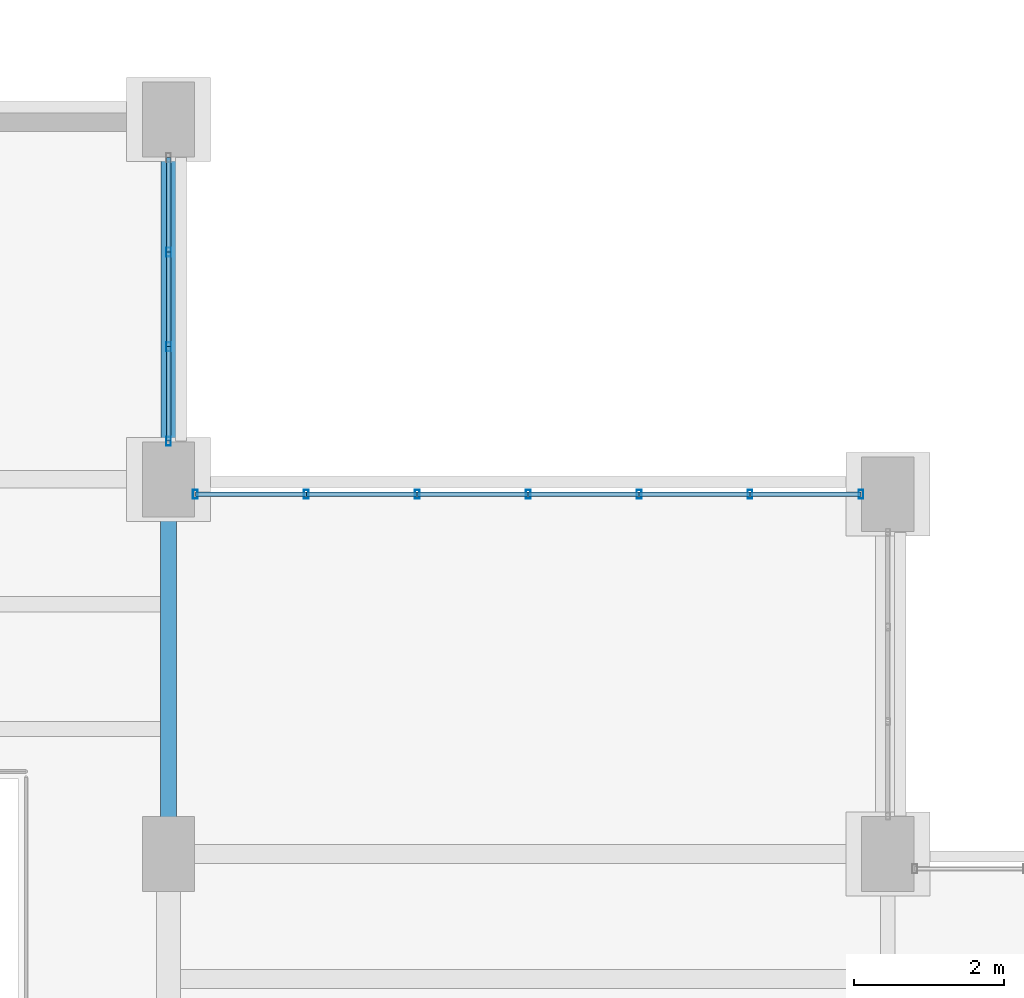
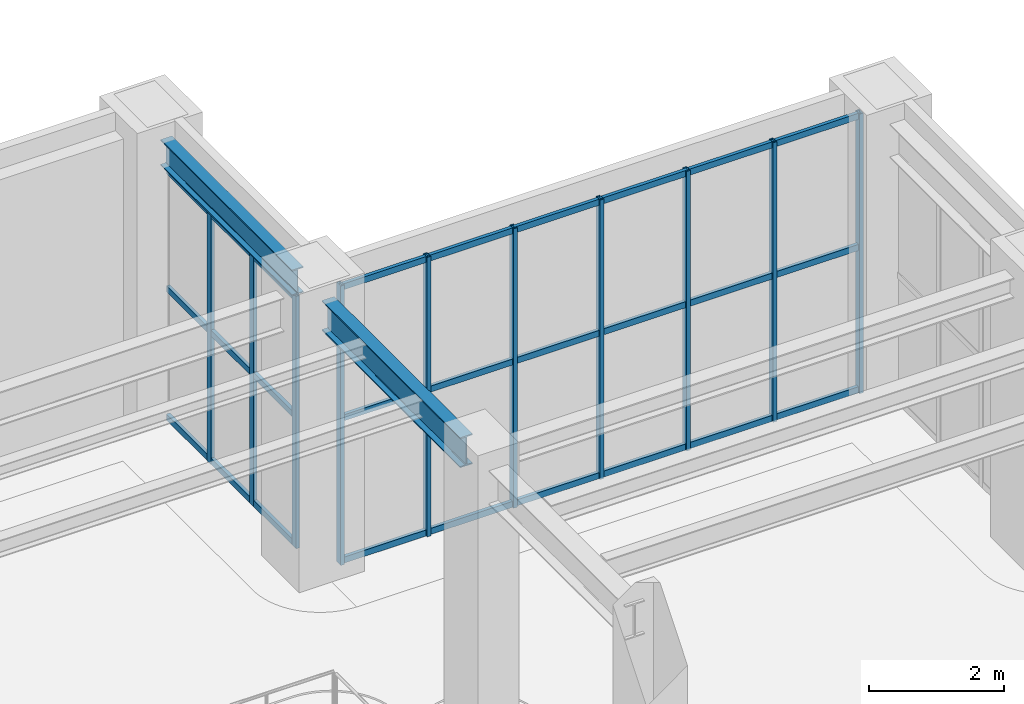
# One storey, part 108 of 164: 37 members, 2 beams, 2 elements without a shape of their own.
"""IFC4 building model written with IfcOpenShell, lengths in metres."""

from ifc_helpers import new_model, si_unit, direction, frame, origin, origin_2d, place, context, subcontext, project, spatial, hollow_rectangle, i_section, extrude, material, material_profile, profile_set, type_object, element, aggregate, save


model = new_model("IFC4")

# Units and contexts
model_context = context("Model", 3, precision=1e-05, world=origin(), true_north=direction((0.0, 1.0)))
body_context = subcontext(model_context, "Body", "Model", "MODEL_VIEW")
ifc_project = project(units=[si_unit("LENGTHUNIT", "METRE"), si_unit("AREAUNIT", "SQUARE_METRE"), si_unit("VOLUMEUNIT", "CUBIC_METRE"), si_unit("PLANEANGLEUNIT", "RADIAN"), si_unit("MASSUNIT", "GRAM", prefix="KILO")], contexts=[model_context])

# Site, building, storey
site_placement = place(None, origin())
site = spatial("IfcSite", under=ifc_project, at=site_placement, CompositionType="ELEMENT")
building_placement = place(site_placement, origin())
building = spatial("IfcBuilding", under=site, at=building_placement, Name="Mavantir Sound Aquarium", CompositionType="ELEMENT")
storey_placement = place(building_placement, origin())
storey = spatial("IfcBuildingStorey", under=building, at=storey_placement, Name="L00", CompositionType="ELEMENT", Elevation=0.0)

# Beams
ifc_material_1 = material(Name="Structural Steel ASTM A992 Gr50", Category="steel")
ifc_material_profile_1 = material_profile(ifc_material_1, i_section(OverallWidth=0.194091796875, OverallDepth=0.468994140625, WebThickness=0.0126953125, FlangeThickness=0.0205078125, FilletRadius=0.01611328125, at=origin_2d()), Name="W460X106")
ifc_profile_set_1 = profile_set([ifc_material_profile_1], Name="Structural Steel ASTM A992 Gr50")
beam_type_1 = type_object("IfcBeamType", Name="BM-W460X106-I", PredefinedType="BEAM", material=ifc_profile_set_1)
beam_1_placement = place(storey_placement, frame((146.39990234375, 76.25, 4.83154296875), z_axis=(0.0, 1.0, 0.0), x_axis=(-1.0, 0.0, 0.0)))
element("IfcBeam", 1, at=beam_1_placement, inside=storey, type_object=beam_type_1, Name="L00 primary girder SB-46 1011", PredefinedType="BEAM", context=body_context, shape_type="SweptSolid", body=[
    extrude(i_section(OverallWidth=0.194091796875, OverallDepth=0.468994140625, WebThickness=0.0126953125, FlangeThickness=0.0205078125, FilletRadius=0.01611328125, at=origin_2d()), origin(), (0.0, 0.0, 1.0), 3.89990234375),
])
ifc_material_profile_2 = material_profile(ifc_material_1, i_section(OverallWidth=0.2119140625, OverallDepth=0.5439453125, WebThickness=0.01318359375, FlangeThickness=0.021240234375, FilletRadius=0.01806640625, at=origin_2d()), Name="W530X123")
ifc_profile_set_2 = profile_set([ifc_material_profile_2], Name="Structural Steel ASTM A992 Gr50")
beam_type_2 = type_object("IfcBeamType", Name="BM-W530X123-I", PredefinedType="BEAM", material=ifc_profile_set_2)
beam_2_placement = place(storey_placement, frame((146.39990234375, 71.25, 4.7939453125), z_axis=(0.0, 1.0, 0.0), x_axis=(-1.0, 0.0, 0.0)))
element("IfcBeam", 2, at=beam_2_placement, inside=storey, type_object=beam_type_2, Name="L00 primary girder SB-53 1010", PredefinedType="BEAM", context=body_context, shape_type="SweptSolid", body=[
    extrude(i_section(OverallWidth=0.2119140625, OverallDepth=0.5439453125, WebThickness=0.01318359375, FlangeThickness=0.021240234375, FilletRadius=0.01806640625, at=origin_2d()), origin(), (0.0, 0.0, 1.0), 4.10009765625),
])

# Curtain wall, members
ifc_material_2 = material(Name="Anodised Marine Aluminium and Low-E Glass", Category="aluminium")
curtain_wall_type_1 = type_object("IfcCurtainWallType", Name="CW-T14", PredefinedType="USERDEFINED", material=ifc_material_2)
curtain_wall_1_placement = place(storey_placement, origin())
curtain_wall_1 = element("IfcCurtainWall", 3, at=curtain_wall_1_placement, inside=storey, type_object=curtain_wall_type_1, Name="L00 unitised curtain wall CW-14 14", ObjectType="UNITISED GLAZING", PredefinedType="USERDEFINED")
ifc_material_3 = material(Name="Anodised Marine Aluminium 6063-T6", Category="aluminium")
ifc_material_profile_3 = material_profile(ifc_material_3, hollow_rectangle(XDim=0.06494140625, YDim=0.1201171875, WallThickness=0.00390625, at=origin_2d()), Name="ALU-MULLION-120X65")
ifc_profile_set_3 = profile_set([ifc_material_profile_3], Name="Anodised Marine Aluminium 6063-T6")
member_type_1 = type_object("IfcMemberType", Name="CW-MUL-120", PredefinedType="MULLION", material=ifc_profile_set_3)
member_1_placement = place(storey_placement, frame((146.39990234375, 76.30810546875, 0.0), z_axis=(0.0, 0.0, 1.0), x_axis=(1.0, 0.0, 0.0)))
member_1 = element("IfcMember", 4, at=member_1_placement, type_object=member_type_1, Name="CW-L00-014 vertical mullion 1", PredefinedType="MULLION", context=body_context, shape_type="SweptSolid", body=[
    extrude(hollow_rectangle(XDim=0.06494140625, YDim=0.1201171875, WallThickness=0.00390625, at=origin_2d()), origin(), (0.0, 0.0, 1.0), 4.56689453125),
])
member_2_placement = place(storey_placement, frame((146.39990234375, 77.5693359375, 0.0), z_axis=(0.0, 0.0, 1.0), x_axis=(1.0, 0.0, 0.0)))
member_2 = element("IfcMember", 5, at=member_2_placement, type_object=member_type_1, Name="CW-L00-014 vertical mullion 2", PredefinedType="MULLION", context=body_context, shape_type="SweptSolid", body=[
    extrude(hollow_rectangle(XDim=0.06494140625, YDim=0.1201171875, WallThickness=0.00390625, at=origin_2d()), origin(), (0.0, 0.0, 1.0), 4.56689453125),
])
member_3_placement = place(storey_placement, frame((146.39990234375, 78.830810546875, 0.0), z_axis=(0.0, 0.0, 1.0), x_axis=(1.0, 0.0, 0.0)))
member_3 = element("IfcMember", 6, at=member_3_placement, type_object=member_type_1, Name="CW-L00-014 vertical mullion 3", PredefinedType="MULLION", context=body_context, shape_type="SweptSolid", body=[
    extrude(hollow_rectangle(XDim=0.06494140625, YDim=0.1201171875, WallThickness=0.00390625, at=origin_2d()), origin(), (0.0, 0.0, 1.0), 4.56689453125),
])

curtain_wall_type_2 = type_object("IfcCurtainWallType", Name="CW-T06", PredefinedType="USERDEFINED", material=ifc_material_2)
curtain_wall_2_placement = place(storey_placement, origin())
curtain_wall_2 = element("IfcCurtainWall", 7, at=curtain_wall_2_placement, inside=storey, type_object=curtain_wall_type_2, Name="L00 unitised curtain wall CW-06 30", ObjectType="UNITISED GLAZING", PredefinedType="USERDEFINED")
member_4_placement = place(storey_placement, frame((155.64208984375, 75.60009765625, 0.0), z_axis=(0.0, 0.0, 1.0), x_axis=(1.0, 0.0, 0.0)))
member_4 = element("IfcMember", 8, at=member_4_placement, type_object=member_type_1, Name="CW-L00-030 vertical mullion 1", PredefinedType="MULLION", context=body_context, shape_type="SweptSolid", body=[
    extrude(hollow_rectangle(XDim=0.06494140625, YDim=0.1201171875, WallThickness=0.00390625, at=origin_2d()), origin(), (0.0, 0.0, 1.0), 5.06005859375),
])
member_5_placement = place(storey_placement, frame((154.161376953125, 75.60009765625, 0.0), z_axis=(0.0, 0.0, 1.0), x_axis=(1.0, 0.0, 0.0)))
member_5 = element("IfcMember", 9, at=member_5_placement, type_object=member_type_1, Name="CW-L00-030 vertical mullion 2", PredefinedType="MULLION", context=body_context, shape_type="SweptSolid", body=[
    extrude(hollow_rectangle(XDim=0.06494140625, YDim=0.1201171875, WallThickness=0.00390625, at=origin_2d()), origin(), (0.0, 0.0, 1.0), 5.06005859375),
])
member_6_placement = place(storey_placement, frame((152.6806640625, 75.60009765625, 0.0), z_axis=(0.0, 0.0, 1.0), x_axis=(1.0, 0.0, 0.0)))
member_6 = element("IfcMember", 10, at=member_6_placement, type_object=member_type_1, Name="CW-L00-030 vertical mullion 3", PredefinedType="MULLION", context=body_context, shape_type="SweptSolid", body=[
    extrude(hollow_rectangle(XDim=0.06494140625, YDim=0.1201171875, WallThickness=0.00390625, at=origin_2d()), origin(), (0.0, 0.0, 1.0), 5.06005859375),
])
member_7_placement = place(storey_placement, frame((151.199951171875, 75.60009765625, 0.0), z_axis=(0.0, 0.0, 1.0), x_axis=(1.0, 0.0, 0.0)))
member_7 = element("IfcMember", 11, at=member_7_placement, type_object=member_type_1, Name="CW-L00-030 vertical mullion 4", PredefinedType="MULLION", context=body_context, shape_type="SweptSolid", body=[
    extrude(hollow_rectangle(XDim=0.06494140625, YDim=0.1201171875, WallThickness=0.00390625, at=origin_2d()), origin(), (0.0, 0.0, 1.0), 5.06005859375),
])
member_8_placement = place(storey_placement, frame((149.71923828125, 75.60009765625, 0.0), z_axis=(0.0, 0.0, 1.0), x_axis=(1.0, 0.0, 0.0)))
member_8 = element("IfcMember", 12, at=member_8_placement, type_object=member_type_1, Name="CW-L00-030 vertical mullion 5", PredefinedType="MULLION", context=body_context, shape_type="SweptSolid", body=[
    extrude(hollow_rectangle(XDim=0.06494140625, YDim=0.1201171875, WallThickness=0.00390625, at=origin_2d()), origin(), (0.0, 0.0, 1.0), 5.06005859375),
])
member_9_placement = place(storey_placement, frame((148.23876953125, 75.60009765625, 0.0), z_axis=(0.0, 0.0, 1.0), x_axis=(1.0, 0.0, 0.0)))
member_9 = element("IfcMember", 13, at=member_9_placement, type_object=member_type_1, Name="CW-L00-030 vertical mullion 6", PredefinedType="MULLION", context=body_context, shape_type="SweptSolid", body=[
    extrude(hollow_rectangle(XDim=0.06494140625, YDim=0.1201171875, WallThickness=0.00390625, at=origin_2d()), origin(), (0.0, 0.0, 1.0), 5.06005859375),
])
member_10_placement = place(storey_placement, frame((146.758056640625, 75.60009765625, 0.0), z_axis=(0.0, 0.0, 1.0), x_axis=(1.0, 0.0, 0.0)))
member_10 = element("IfcMember", 14, at=member_10_placement, type_object=member_type_1, Name="CW-L00-030 vertical mullion 7", PredefinedType="MULLION", context=body_context, shape_type="SweptSolid", body=[
    extrude(hollow_rectangle(XDim=0.06494140625, YDim=0.1201171875, WallThickness=0.00390625, at=origin_2d()), origin(), (0.0, 0.0, 1.0), 5.06005859375),
])

# Member
ifc_material_profile_4 = material_profile(ifc_material_3, hollow_rectangle(XDim=0.06005859375, YDim=0.110107421875, WallThickness=0.00390625, at=origin_2d()), Name="ALU-TRANSOM-110X60")
ifc_profile_set_4 = profile_set([ifc_material_profile_4], Name="Anodised Marine Aluminium 6063-T6")
member_type_2 = type_object("IfcMemberType", Name="CW-TRN-110", PredefinedType="USERDEFINED", material=ifc_profile_set_4)
member_11_placement = place(storey_placement, frame((146.39990234375, 76.30810546875, 0.054931640625), z_axis=(0.0, 1.0, 0.0), x_axis=(-1.0, 0.0, 0.0)))
member_11 = element("IfcMember", 15, at=member_11_placement, type_object=member_type_2, Name="CW-L00-014 transom 1.1", ObjectType="TRANSOM", PredefinedType="USERDEFINED", context=body_context, shape_type="SweptSolid", body=[
    extrude(hollow_rectangle(XDim=0.06005859375, YDim=0.110107421875, WallThickness=0.00390625, at=origin_2d()), origin(), (0.0, 0.0, 1.0), 1.26123046875),
])

member_12_placement = place(storey_placement, frame((146.39990234375, 76.30810546875, 2.374755859375), z_axis=(0.0, 1.0, 0.0), x_axis=(-1.0, 0.0, 0.0)))
member_12 = element("IfcMember", 16, at=member_12_placement, type_object=member_type_2, Name="CW-L00-014 transom 1.2", ObjectType="TRANSOM", PredefinedType="USERDEFINED", context=body_context, shape_type="SweptSolid", body=[
    extrude(hollow_rectangle(XDim=0.06005859375, YDim=0.110107421875, WallThickness=0.00390625, at=origin_2d()), origin(), (0.0, 0.0, 1.0), 1.26123046875),
])

member_13_placement = place(storey_placement, frame((146.39990234375, 76.30810546875, 4.511962890625), z_axis=(0.0, 1.0, 0.0), x_axis=(-1.0, 0.0, 0.0)))
member_13 = element("IfcMember", 17, at=member_13_placement, type_object=member_type_2, Name="CW-L00-014 transom 1.3", ObjectType="TRANSOM", PredefinedType="USERDEFINED", context=body_context, shape_type="SweptSolid", body=[
    extrude(hollow_rectangle(XDim=0.06005859375, YDim=0.110107421875, WallThickness=0.00390625, at=origin_2d()), origin(), (0.0, 0.0, 1.0), 1.26123046875),
])

member_14_placement = place(storey_placement, frame((146.39990234375, 77.5693359375, 0.054931640625), z_axis=(0.0, 1.0, 0.0), x_axis=(-1.0, 0.0, 0.0)))
member_14 = element("IfcMember", 18, at=member_14_placement, type_object=member_type_2, Name="CW-L00-014 transom 2.1", ObjectType="TRANSOM", PredefinedType="USERDEFINED", context=body_context, shape_type="SweptSolid", body=[
    extrude(hollow_rectangle(XDim=0.06005859375, YDim=0.110107421875, WallThickness=0.00390625, at=origin_2d()), origin(), (0.0, 0.0, 1.0), 1.261474609375),
])

member_15_placement = place(storey_placement, frame((146.39990234375, 77.5693359375, 2.374755859375), z_axis=(0.0, 1.0, 0.0), x_axis=(-1.0, 0.0, 0.0)))
member_15 = element("IfcMember", 19, at=member_15_placement, type_object=member_type_2, Name="CW-L00-014 transom 2.2", ObjectType="TRANSOM", PredefinedType="USERDEFINED", context=body_context, shape_type="SweptSolid", body=[
    extrude(hollow_rectangle(XDim=0.06005859375, YDim=0.110107421875, WallThickness=0.00390625, at=origin_2d()), origin(), (0.0, 0.0, 1.0), 1.261474609375),
])

member_16_placement = place(storey_placement, frame((146.39990234375, 77.5693359375, 4.511962890625), z_axis=(0.0, 1.0, 0.0), x_axis=(-1.0, 0.0, 0.0)))
member_16 = element("IfcMember", 20, at=member_16_placement, type_object=member_type_2, Name="CW-L00-014 transom 2.3", ObjectType="TRANSOM", PredefinedType="USERDEFINED", context=body_context, shape_type="SweptSolid", body=[
    extrude(hollow_rectangle(XDim=0.06005859375, YDim=0.110107421875, WallThickness=0.00390625, at=origin_2d()), origin(), (0.0, 0.0, 1.0), 1.261474609375),
])

member_17_placement = place(storey_placement, frame((146.39990234375, 78.830810546875, 0.054931640625), z_axis=(0.0, 1.0, 0.0), x_axis=(-1.0, 0.0, 0.0)))
member_17 = element("IfcMember", 21, at=member_17_placement, type_object=member_type_2, Name="CW-L00-014 transom 3.1", ObjectType="TRANSOM", PredefinedType="USERDEFINED", context=body_context, shape_type="SweptSolid", body=[
    extrude(hollow_rectangle(XDim=0.06005859375, YDim=0.110107421875, WallThickness=0.00390625, at=origin_2d()), origin(), (0.0, 0.0, 1.0), 1.26123046875),
])

member_18_placement = place(storey_placement, frame((146.39990234375, 78.830810546875, 2.374755859375), z_axis=(0.0, 1.0, 0.0), x_axis=(-1.0, 0.0, 0.0)))
member_18 = element("IfcMember", 22, at=member_18_placement, type_object=member_type_2, Name="CW-L00-014 transom 3.2", ObjectType="TRANSOM", PredefinedType="USERDEFINED", context=body_context, shape_type="SweptSolid", body=[
    extrude(hollow_rectangle(XDim=0.06005859375, YDim=0.110107421875, WallThickness=0.00390625, at=origin_2d()), origin(), (0.0, 0.0, 1.0), 1.26123046875),
])

member_19_placement = place(storey_placement, frame((146.39990234375, 78.830810546875, 4.511962890625), z_axis=(0.0, 1.0, 0.0), x_axis=(-1.0, 0.0, 0.0)))
member_19 = element("IfcMember", 23, at=member_19_placement, type_object=member_type_2, Name="CW-L00-014 transom 3.3", ObjectType="TRANSOM", PredefinedType="USERDEFINED", context=body_context, shape_type="SweptSolid", body=[
    extrude(hollow_rectangle(XDim=0.06005859375, YDim=0.110107421875, WallThickness=0.00390625, at=origin_2d()), origin(), (0.0, 0.0, 1.0), 1.26123046875),
])

aggregate(curtain_wall_1, [member_1, member_2, member_3, member_11, member_12, member_13, member_14, member_15, member_16, member_17, member_18, member_19])

member_20_placement = place(storey_placement, frame((155.64208984375, 75.60009765625, 0.054931640625), z_axis=(-1.0, 0.0, 0.0), x_axis=(0.0, -1.0, 0.0)))
member_20 = element("IfcMember", 24, at=member_20_placement, type_object=member_type_2, Name="CW-L00-030 transom 1.1", ObjectType="TRANSOM", PredefinedType="USERDEFINED", context=body_context, shape_type="SweptSolid", body=[
    extrude(hollow_rectangle(XDim=0.06005859375, YDim=0.110107421875, WallThickness=0.00390625, at=origin_2d()), origin(), (0.0, 0.0, 1.0), 1.480712890625),
])

member_21_placement = place(storey_placement, frame((155.64208984375, 75.60009765625, 2.631103515625), z_axis=(-1.0, 0.0, 0.0), x_axis=(0.0, -1.0, 0.0)))
member_21 = element("IfcMember", 25, at=member_21_placement, type_object=member_type_2, Name="CW-L00-030 transom 1.2", ObjectType="TRANSOM", PredefinedType="USERDEFINED", context=body_context, shape_type="SweptSolid", body=[
    extrude(hollow_rectangle(XDim=0.06005859375, YDim=0.110107421875, WallThickness=0.00390625, at=origin_2d()), origin(), (0.0, 0.0, 1.0), 1.480712890625),
])

member_22_placement = place(storey_placement, frame((155.64208984375, 75.60009765625, 5.0048828125), z_axis=(-1.0, 0.0, 0.0), x_axis=(0.0, -1.0, 0.0)))
member_22 = element("IfcMember", 26, at=member_22_placement, type_object=member_type_2, Name="CW-L00-030 transom 1.3", ObjectType="TRANSOM", PredefinedType="USERDEFINED", context=body_context, shape_type="SweptSolid", body=[
    extrude(hollow_rectangle(XDim=0.06005859375, YDim=0.110107421875, WallThickness=0.00390625, at=origin_2d()), origin(), (0.0, 0.0, 1.0), 1.480712890625),
])

member_23_placement = place(storey_placement, frame((154.161376953125, 75.60009765625, 0.054931640625), z_axis=(-1.0, 0.0, 0.0), x_axis=(0.0, -1.0, 0.0)))
member_23 = element("IfcMember", 27, at=member_23_placement, type_object=member_type_2, Name="CW-L00-030 transom 2.1", ObjectType="TRANSOM", PredefinedType="USERDEFINED", context=body_context, shape_type="SweptSolid", body=[
    extrude(hollow_rectangle(XDim=0.06005859375, YDim=0.110107421875, WallThickness=0.00390625, at=origin_2d()), origin(), (0.0, 0.0, 1.0), 1.480712890625),
])

member_24_placement = place(storey_placement, frame((154.161376953125, 75.60009765625, 2.631103515625), z_axis=(-1.0, 0.0, 0.0), x_axis=(0.0, -1.0, 0.0)))
member_24 = element("IfcMember", 28, at=member_24_placement, type_object=member_type_2, Name="CW-L00-030 transom 2.2", ObjectType="TRANSOM", PredefinedType="USERDEFINED", context=body_context, shape_type="SweptSolid", body=[
    extrude(hollow_rectangle(XDim=0.06005859375, YDim=0.110107421875, WallThickness=0.00390625, at=origin_2d()), origin(), (0.0, 0.0, 1.0), 1.480712890625),
])

member_25_placement = place(storey_placement, frame((154.161376953125, 75.60009765625, 5.0048828125), z_axis=(-1.0, 0.0, 0.0), x_axis=(0.0, -1.0, 0.0)))
member_25 = element("IfcMember", 29, at=member_25_placement, type_object=member_type_2, Name="CW-L00-030 transom 2.3", ObjectType="TRANSOM", PredefinedType="USERDEFINED", context=body_context, shape_type="SweptSolid", body=[
    extrude(hollow_rectangle(XDim=0.06005859375, YDim=0.110107421875, WallThickness=0.00390625, at=origin_2d()), origin(), (0.0, 0.0, 1.0), 1.480712890625),
])

member_26_placement = place(storey_placement, frame((152.6806640625, 75.60009765625, 0.054931640625), z_axis=(-1.0, 0.0, 0.0), x_axis=(0.0, -1.0, 0.0)))
member_26 = element("IfcMember", 30, at=member_26_placement, type_object=member_type_2, Name="CW-L00-030 transom 3.1", ObjectType="TRANSOM", PredefinedType="USERDEFINED", context=body_context, shape_type="SweptSolid", body=[
    extrude(hollow_rectangle(XDim=0.06005859375, YDim=0.110107421875, WallThickness=0.00390625, at=origin_2d()), origin(), (0.0, 0.0, 1.0), 1.480712890625),
])

member_27_placement = place(storey_placement, frame((152.6806640625, 75.60009765625, 2.631103515625), z_axis=(-1.0, 0.0, 0.0), x_axis=(0.0, -1.0, 0.0)))
member_27 = element("IfcMember", 31, at=member_27_placement, type_object=member_type_2, Name="CW-L00-030 transom 3.2", ObjectType="TRANSOM", PredefinedType="USERDEFINED", context=body_context, shape_type="SweptSolid", body=[
    extrude(hollow_rectangle(XDim=0.06005859375, YDim=0.110107421875, WallThickness=0.00390625, at=origin_2d()), origin(), (0.0, 0.0, 1.0), 1.480712890625),
])

member_28_placement = place(storey_placement, frame((152.6806640625, 75.60009765625, 5.0048828125), z_axis=(-1.0, 0.0, 0.0), x_axis=(0.0, -1.0, 0.0)))
member_28 = element("IfcMember", 32, at=member_28_placement, type_object=member_type_2, Name="CW-L00-030 transom 3.3", ObjectType="TRANSOM", PredefinedType="USERDEFINED", context=body_context, shape_type="SweptSolid", body=[
    extrude(hollow_rectangle(XDim=0.06005859375, YDim=0.110107421875, WallThickness=0.00390625, at=origin_2d()), origin(), (0.0, 0.0, 1.0), 1.480712890625),
])

member_29_placement = place(storey_placement, frame((151.199951171875, 75.60009765625, 0.054931640625), z_axis=(-1.0, 0.0, 0.0), x_axis=(0.0, -1.0, 0.0)))
member_29 = element("IfcMember", 33, at=member_29_placement, type_object=member_type_2, Name="CW-L00-030 transom 4.1", ObjectType="TRANSOM", PredefinedType="USERDEFINED", context=body_context, shape_type="SweptSolid", body=[
    extrude(hollow_rectangle(XDim=0.06005859375, YDim=0.110107421875, WallThickness=0.00390625, at=origin_2d()), origin(), (0.0, 0.0, 1.0), 1.480712890625),
])

member_30_placement = place(storey_placement, frame((151.199951171875, 75.60009765625, 2.631103515625), z_axis=(-1.0, 0.0, 0.0), x_axis=(0.0, -1.0, 0.0)))
member_30 = element("IfcMember", 34, at=member_30_placement, type_object=member_type_2, Name="CW-L00-030 transom 4.2", ObjectType="TRANSOM", PredefinedType="USERDEFINED", context=body_context, shape_type="SweptSolid", body=[
    extrude(hollow_rectangle(XDim=0.06005859375, YDim=0.110107421875, WallThickness=0.00390625, at=origin_2d()), origin(), (0.0, 0.0, 1.0), 1.480712890625),
])

member_31_placement = place(storey_placement, frame((151.199951171875, 75.60009765625, 5.0048828125), z_axis=(-1.0, 0.0, 0.0), x_axis=(0.0, -1.0, 0.0)))
member_31 = element("IfcMember", 35, at=member_31_placement, type_object=member_type_2, Name="CW-L00-030 transom 4.3", ObjectType="TRANSOM", PredefinedType="USERDEFINED", context=body_context, shape_type="SweptSolid", body=[
    extrude(hollow_rectangle(XDim=0.06005859375, YDim=0.110107421875, WallThickness=0.00390625, at=origin_2d()), origin(), (0.0, 0.0, 1.0), 1.480712890625),
])

member_32_placement = place(storey_placement, frame((149.71923828125, 75.60009765625, 0.054931640625), z_axis=(-1.0, 0.0, 0.0), x_axis=(0.0, -1.0, 0.0)))
member_32 = element("IfcMember", 36, at=member_32_placement, type_object=member_type_2, Name="CW-L00-030 transom 5.1", ObjectType="TRANSOM", PredefinedType="USERDEFINED", context=body_context, shape_type="SweptSolid", body=[
    extrude(hollow_rectangle(XDim=0.06005859375, YDim=0.110107421875, WallThickness=0.00390625, at=origin_2d()), origin(), (0.0, 0.0, 1.0), 1.48046875),
])

member_33_placement = place(storey_placement, frame((149.71923828125, 75.60009765625, 2.631103515625), z_axis=(-1.0, 0.0, 0.0), x_axis=(0.0, -1.0, 0.0)))
member_33 = element("IfcMember", 37, at=member_33_placement, type_object=member_type_2, Name="CW-L00-030 transom 5.2", ObjectType="TRANSOM", PredefinedType="USERDEFINED", context=body_context, shape_type="SweptSolid", body=[
    extrude(hollow_rectangle(XDim=0.06005859375, YDim=0.110107421875, WallThickness=0.00390625, at=origin_2d()), origin(), (0.0, 0.0, 1.0), 1.48046875),
])

member_34_placement = place(storey_placement, frame((149.71923828125, 75.60009765625, 5.0048828125), z_axis=(-1.0, 0.0, 0.0), x_axis=(0.0, -1.0, 0.0)))
member_34 = element("IfcMember", 38, at=member_34_placement, type_object=member_type_2, Name="CW-L00-030 transom 5.3", ObjectType="TRANSOM", PredefinedType="USERDEFINED", context=body_context, shape_type="SweptSolid", body=[
    extrude(hollow_rectangle(XDim=0.06005859375, YDim=0.110107421875, WallThickness=0.00390625, at=origin_2d()), origin(), (0.0, 0.0, 1.0), 1.48046875),
])

member_35_placement = place(storey_placement, frame((148.23876953125, 75.60009765625, 0.054931640625), z_axis=(-1.0, 0.0, 0.0), x_axis=(0.0, -1.0, 0.0)))
member_35 = element("IfcMember", 39, at=member_35_placement, type_object=member_type_2, Name="CW-L00-030 transom 6.1", ObjectType="TRANSOM", PredefinedType="USERDEFINED", context=body_context, shape_type="SweptSolid", body=[
    extrude(hollow_rectangle(XDim=0.06005859375, YDim=0.110107421875, WallThickness=0.00390625, at=origin_2d()), origin(), (0.0, 0.0, 1.0), 1.480712890625),
])

member_36_placement = place(storey_placement, frame((148.23876953125, 75.60009765625, 2.631103515625), z_axis=(-1.0, 0.0, 0.0), x_axis=(0.0, -1.0, 0.0)))
member_36 = element("IfcMember", 40, at=member_36_placement, type_object=member_type_2, Name="CW-L00-030 transom 6.2", ObjectType="TRANSOM", PredefinedType="USERDEFINED", context=body_context, shape_type="SweptSolid", body=[
    extrude(hollow_rectangle(XDim=0.06005859375, YDim=0.110107421875, WallThickness=0.00390625, at=origin_2d()), origin(), (0.0, 0.0, 1.0), 1.480712890625),
])

member_37_placement = place(storey_placement, frame((148.23876953125, 75.60009765625, 5.0048828125), z_axis=(-1.0, 0.0, 0.0), x_axis=(0.0, -1.0, 0.0)))
member_37 = element("IfcMember", 41, at=member_37_placement, type_object=member_type_2, Name="CW-L00-030 transom 6.3", ObjectType="TRANSOM", PredefinedType="USERDEFINED", context=body_context, shape_type="SweptSolid", body=[
    extrude(hollow_rectangle(XDim=0.06005859375, YDim=0.110107421875, WallThickness=0.00390625, at=origin_2d()), origin(), (0.0, 0.0, 1.0), 1.480712890625),
])

aggregate(curtain_wall_2, [member_4, member_5, member_6, member_7, member_8, member_9, member_10, member_20, member_21, member_22, member_23, member_24, member_25, member_26, member_27, member_28, member_29, member_30, member_31, member_32, member_33, member_34, member_35, member_36, member_37])

save(model, "model.ifc")
